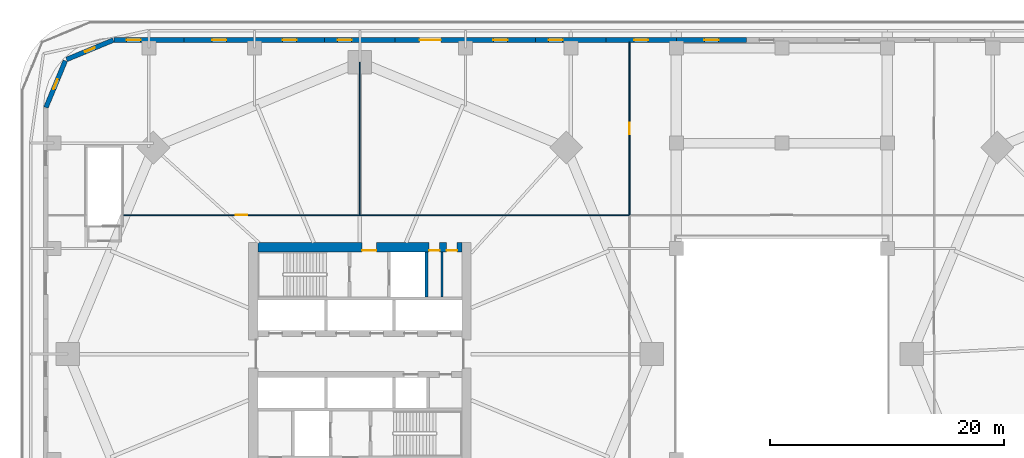
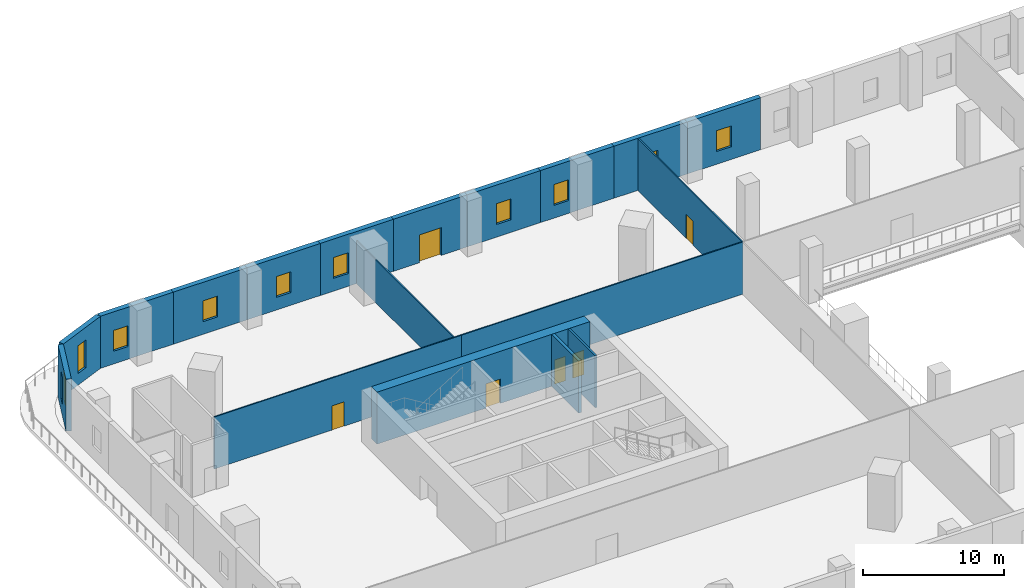
# One storey, part 6 of 16: 18 walls, 10 windows, 6 doors, 16 openings.
"""IFC4 building model written with IfcOpenShell, lengths in metres."""

from ifc_helpers import new_model, si_unit, direction, frame, frame_2d, origin, place, context, subcontext, project, spatial, rectangle, extrude, material, layer, layer_set, type_object, element, fill, save


model = new_model("IFC4")

# Units and contexts
model_context = context("Model", 3, precision=1e-05, world=origin(), true_north=direction((0.0, 1.0)))
body_context = subcontext(model_context, "Body", "Model", "MODEL_VIEW")
ifc_project = project(units=[si_unit("LENGTHUNIT", "METRE"), si_unit("AREAUNIT", "SQUARE_METRE"), si_unit("VOLUMEUNIT", "CUBIC_METRE"), si_unit("PLANEANGLEUNIT", "RADIAN"), si_unit("MASSUNIT", "GRAM", prefix="KILO")], contexts=[model_context])

# Site, building, storey
site_placement = place(None, origin())
site = spatial("IfcSite", under=ifc_project, at=site_placement, CompositionType="ELEMENT")
building_placement = place(site_placement, origin())
building = spatial("IfcBuilding", under=site, at=building_placement, Name="Ogive Gate Towers", CompositionType="ELEMENT")
storey_placement = place(building_placement, frame((0.0, 0.0, 22.800048828125)))
storey = spatial("IfcBuildingStorey", under=building, at=storey_placement, Name="L04", CompositionType="ELEMENT", Elevation=22.800048828125)

# Wall, openings, doors
ifc_material_1 = material(Name="Concrete C60/75", Category="concrete")
ifc_layer_1 = layer(ifc_material_1, 0.800048828125)
ifc_layer_set_1 = layer_set([ifc_layer_1], Name="Core wall 800 mm")
wall_type_1 = type_object("IfcWallType", Name="Core wall 800 mm", PredefinedType="SHEAR", material=ifc_layer_set_1)
wall_1_placement = place(storey_placement, frame((-44.699951171875, 9.10009765625, 0.0), z_axis=(0.0, 0.0, 1.0), x_axis=(1.0, 0.0, 0.0)))
wall_1 = element("IfcWall", 1, at=wall_1_placement, inside=storey, type_object=wall_type_1, Name="T1 L04 Core wall 800 mm", PredefinedType="SHEAR", context=body_context, shape_type="SweptSolid", body=[
    extrude(rectangle(XDim=17.39990234375, YDim=0.800048828125, at=frame_2d((8.699951171875, 0.0))), origin(), (0.0, 0.0, 1.0), 4.5),
])
opening_1_placement = place(wall_1_placement, frame((8.89990234375, 0.0, 0.0)))
opening_1 = element("IfcOpeningElement", 2, at=opening_1_placement, cuts=wall_1, Name="Opening KD-T1-L04-15", PredefinedType="OPENING", context=body_context, shape_type="SweptSolid", body=[
    extrude(rectangle(XDim=1.199951171875, YDim=2.10009765625, at=frame_2d((0.60009765625, 1.050048828125))), frame((0.0, 0.41015625, 0.0), z_axis=(0.0, -1.0, 0.0), x_axis=(1.0, 0.0, 0.0)), (0.0, 0.0, 1.0), 0.820068359375),
])
opening_2_placement = place(wall_1_placement, frame((14.60009765625, 0.0, 0.0)))
opening_2 = element("IfcOpeningElement", 3, at=opening_2_placement, cuts=wall_1, Name="Opening KD-T1-L04-17", PredefinedType="OPENING", context=body_context, shape_type="SweptSolid", body=[
    extrude(rectangle(XDim=0.89990234375, YDim=2.10009765625, at=frame_2d((0.449951171875, 1.050048828125))), frame((0.0, 0.41015625, 0.0), z_axis=(0.0, -1.0, 0.0), x_axis=(1.0, 0.0, 0.0)), (0.0, 0.0, 1.0), 0.820068359375),
])
opening_3_placement = place(wall_1_placement, frame((16.10009765625, 0.0, 0.0)))
opening_3 = element("IfcOpeningElement", 4, at=opening_3_placement, cuts=wall_1, Name="Opening KD-T1-L04-18", PredefinedType="OPENING", context=body_context, shape_type="SweptSolid", body=[
    extrude(rectangle(XDim=0.89990234375, YDim=2.10009765625, at=frame_2d((0.449951171875, 1.050048828125))), frame((0.0, 0.41015625, 0.0), z_axis=(0.0, -1.0, 0.0), x_axis=(1.0, 0.0, 0.0)), (0.0, 0.0, 1.0), 0.820068359375),
])
ifc_material_2 = material(Name="Timber door", Category="wood")
door_type_1 = type_object("IfcDoorType", Name="Core WC door 900 x 2100", OperationType="NOTDEFINED", PredefinedType="DOOR", material=ifc_material_2)
door_1_placement = place(opening_2_placement, origin())
door_1 = element("IfcDoor", 5, at=door_1_placement, inside=storey, type_object=door_type_1, Name="T1 L04 Core door", OperationType="SINGLE_SWING_RIGHT", OverallHeight=2.10009765625, OverallWidth=0.89990234375, PredefinedType="DOOR", context=body_context, shape_type="SweptSolid", body=[
    extrude(rectangle(XDim=0.89990234375, YDim=2.10009765625, at=frame_2d((0.449951171875, 1.050048828125))), frame((0.0, -0.22509765625, 0.0), z_axis=(0.0, -1.0, 0.0), x_axis=(1.0, 0.0, 0.0)), (0.0, 0.0, 1.0), 0.050048828125),
])
fill(opening_2, door_1)
door_2_placement = place(opening_3_placement, origin())
door_2 = element("IfcDoor", 6, at=door_2_placement, inside=storey, type_object=door_type_1, Name="T1 L04 Core door", OperationType="SINGLE_SWING_LEFT", OverallHeight=2.10009765625, OverallWidth=0.89990234375, PredefinedType="DOOR", context=body_context, shape_type="SweptSolid", body=[
    extrude(rectangle(XDim=0.89990234375, YDim=2.10009765625, at=frame_2d((0.449951171875, 1.050048828125))), frame((0.0, -0.22509765625, 0.0), z_axis=(0.0, -1.0, 0.0), x_axis=(1.0, 0.0, 0.0)), (0.0, 0.0, 1.0), 0.050048828125),
])
fill(opening_3, door_2)
ifc_material_3 = material(Name="Steel fire door", Category="steel")
door_type_2 = type_object("IfcDoorType", Name="Core door FD60S 1200 x 2100", OperationType="NOTDEFINED", PredefinedType="DOOR", material=ifc_material_3)
door_3_placement = place(opening_1_placement, origin())
door_3 = element("IfcDoor", 7, at=door_3_placement, inside=storey, type_object=door_type_2, Name="T1 L04 Fire-fighting lobby door", OperationType="SINGLE_SWING_RIGHT", OverallHeight=2.10009765625, OverallWidth=1.199951171875, PredefinedType="DOOR", context=body_context, shape_type="SweptSolid", body=[
    extrude(rectangle(XDim=1.199951171875, YDim=2.10009765625, at=frame_2d((0.60009765625, 1.050048828125))), frame((0.0, -0.22509765625, 0.0), z_axis=(0.0, -1.0, 0.0), x_axis=(1.0, 0.0, 0.0)), (0.0, 0.0, 1.0), 0.050048828125),
])
fill(opening_1, door_3)

# Wall, opening, door
ifc_material_4 = material(Name="Gypsum board partition")
ifc_layer_2 = layer(ifc_material_4, 0.10009765625)
ifc_layer_set_2 = layer_set([ifc_layer_2], Name="Partition wall 100")
wall_type_2 = type_object("IfcWallType", Name="Partition wall 100", PredefinedType="PARTITIONING", material=ifc_layer_set_2)
wall_2_placement = place(storey_placement, frame((-13.0, 11.89990234375, 0.0), z_axis=(0.0, 0.0, 1.0), x_axis=(0.0, 1.0, 0.0)))
wall_2 = element("IfcWall", 8, at=wall_2_placement, inside=storey, type_object=wall_type_2, Name="L04 partition 022", PredefinedType="PARTITIONING", context=body_context, shape_type="SweptSolid", body=[
    extrude(rectangle(XDim=14.7001953125, YDim=0.10009765625, at=frame_2d((7.35009765625, 0.0))), origin(), (0.0, 0.0, 1.0), 4.5),
])
opening_4_placement = place(wall_2_placement, frame((6.85009765625, 0.0, 0.0)))
opening_4 = element("IfcOpeningElement", 9, at=opening_4_placement, cuts=wall_2, Name="Opening PO201", PredefinedType="OPENING", context=body_context, shape_type="SweptSolid", body=[
    extrude(rectangle(XDim=1.0, YDim=2.10009765625, at=frame_2d((0.5, 1.050048828125))), frame((0.0, 0.06005859375, 0.0), z_axis=(0.0, -1.0, 0.0), x_axis=(1.0, 0.0, 0.0)), (0.0, 0.0, 1.0), 0.1201171875),
])
door_type_3 = type_object("IfcDoorType", Name="Door 1000 x 2100", OperationType="NOTDEFINED", PredefinedType="DOOR", material=ifc_material_2)
door_4_placement = place(opening_4_placement, origin())
door_4 = element("IfcDoor", 10, at=door_4_placement, inside=storey, type_object=door_type_3, Name="Door PO201", OperationType="SINGLE_SWING_LEFT", OverallHeight=2.10009765625, OverallWidth=1.0, PredefinedType="DOOR", context=body_context, shape_type="SweptSolid", body=[
    extrude(rectangle(XDim=1.0, YDim=2.10009765625, at=frame_2d((0.5, 1.050048828125))), frame((0.0, 0.02490234375, 0.0), z_axis=(0.0, -1.0, 0.0), x_axis=(1.0, 0.0, 0.0)), (0.0, 0.0, 1.0), 0.050048828125),
])
fill(opening_4, door_4)

# Wall
wall_3_placement = place(storey_placement, frame((-36.0, 11.89990234375, 0.0), z_axis=(0.0, 0.0, 1.0), x_axis=(0.0, 1.0, 0.0)))
element("IfcWall", 11, at=wall_3_placement, inside=storey, type_object=wall_type_2, Name="L04 partition 025", PredefinedType="PARTITIONING", context=body_context, shape_type="SweptSolid", body=[
    extrude(rectangle(XDim=14.7001953125, YDim=0.10009765625, at=frame_2d((7.35009765625, 0.0))), origin(), (0.0, 0.0, 1.0), 3.7099609375),
])

# Wall, opening, door
wall_4_placement = place(storey_placement, frame((-56.199951171875, 11.85009765625, 0.0), z_axis=(0.0, 0.0, 1.0), x_axis=(1.0, 0.0, 0.0)))
wall_4 = element("IfcWall", 12, at=wall_4_placement, inside=storey, type_object=wall_type_2, Name="L04 partition 027", PredefinedType="PARTITIONING", context=body_context, shape_type="SweptSolid", body=[
    extrude(rectangle(XDim=20.199951171875, YDim=0.10009765625, at=frame_2d((10.10009765625, 0.0))), origin(), (0.0, 0.0, 1.0), 4.5),
])
opening_5_placement = place(wall_4_placement, frame((9.60009765625, 0.0, 0.0)))
opening_5 = element("IfcOpeningElement", 13, at=opening_5_placement, cuts=wall_4, Name="Opening PO200", PredefinedType="OPENING", context=body_context, shape_type="SweptSolid", body=[
    extrude(rectangle(XDim=1.0, YDim=2.10009765625, at=frame_2d((0.5, 1.050048828125))), frame((0.0, 0.06005859375, 0.0), z_axis=(0.0, -1.0, 0.0), x_axis=(1.0, 0.0, 0.0)), (0.0, 0.0, 1.0), 0.1201171875),
])
door_5_placement = place(opening_5_placement, origin())
door_5 = element("IfcDoor", 14, at=door_5_placement, inside=storey, type_object=door_type_3, Name="Door PO200", OperationType="SINGLE_SWING_RIGHT", OverallHeight=2.10009765625, OverallWidth=1.0, PredefinedType="DOOR", context=body_context, shape_type="SweptSolid", body=[
    extrude(rectangle(XDim=1.0, YDim=2.10009765625, at=frame_2d((0.5, 1.050048828125))), frame((0.0, 0.02490234375, 0.0), z_axis=(0.0, -1.0, 0.0), x_axis=(1.0, 0.0, 0.0)), (0.0, 0.0, 1.0), 0.050048828125),
])
fill(opening_5, door_5)

# Wall
wall_5_placement = place(storey_placement, frame((-36.0, 11.85009765625, 0.0), z_axis=(0.0, 0.0, 1.0), x_axis=(1.0, 0.0, 0.0)))
element("IfcWall", 15, at=wall_5_placement, inside=storey, type_object=wall_type_2, Name="L04 partition 028", PredefinedType="PARTITIONING", context=body_context, shape_type="SweptSolid", body=[
    extrude(rectangle(XDim=23.0, YDim=0.10009765625, at=frame_2d((11.5, 0.0))), origin(), (0.0, 0.0, 1.0), 4.5),
])

# Wall, opening, window
ifc_material_5 = material(Name="Precast concrete C40/50", Category="concrete")
ifc_layer_3 = layer(ifc_material_5, 0.39990234375)
ifc_layer_set_3 = layer_set([ifc_layer_3], Name="Podium wall 400")
wall_type_3 = type_object("IfcWallType", Name="Podium wall 400", PredefinedType="SOLIDWALL", material=ifc_layer_set_3)
wall_6_placement = place(storey_placement, frame((-3.0, 26.800048828125, 0.0), z_axis=(0.0, 0.0, 1.0), x_axis=(-1.0, 0.0, 0.0)))
wall_6 = element("IfcWall", 16, at=wall_6_placement, inside=storey, type_object=wall_type_3, Name="Podium wall", PredefinedType="SOLIDWALL", context=body_context, shape_type="SweptSolid", body=[
    extrude(rectangle(XDim=6.0, YDim=0.39990234375, at=frame_2d((3.0, 0.0))), origin(), (0.0, 0.0, 1.0), 4.5),
])
opening_6_placement = place(wall_6_placement, frame((2.39990234375, 0.0, 1.10009765625)))
opening_6 = element("IfcOpeningElement", 17, at=opening_6_placement, cuts=wall_6, Name="Opening WN3", PredefinedType="OPENING", context=body_context, shape_type="SweptSolid", body=[
    extrude(rectangle(XDim=1.199951171875, YDim=1.800048828125, at=frame_2d((0.60009765625, 0.89990234375))), frame((0.0, 0.2099609375, 0.0), z_axis=(0.0, -1.0, 0.0), x_axis=(1.0, 0.0, 0.0)), (0.0, 0.0, 1.0), 0.419921875),
])
ifc_material_6 = material(Name="Clear glass", Category="glass")
window_type_1 = type_object("IfcWindowType", Name="Podium window 1200 x 1800", PartitioningType="SINGLE_PANEL", PredefinedType="WINDOW", material=ifc_material_6)
window_1_placement = place(opening_6_placement, origin())
window_1 = element("IfcWindow", 18, at=window_1_placement, inside=storey, type_object=window_type_1, Name="Podium window", OverallHeight=1.800048828125, OverallWidth=1.199951171875, PartitioningType="SINGLE_PANEL", PredefinedType="WINDOW", context=body_context, shape_type="SweptSolid", body=[
    extrude(rectangle(XDim=1.199951171875, YDim=1.800048828125, at=frame_2d((0.60009765625, 0.89990234375))), frame((0.0, 0.030029296875, 0.0), z_axis=(0.0, -1.0, 0.0), x_axis=(1.0, 0.0, 0.0)), (0.0, 0.0, 1.0), 0.06005859375),
])
fill(opening_6, window_1)

wall_7_placement = place(storey_placement, frame((-9.0, 26.800048828125, 0.0), z_axis=(0.0, 0.0, 1.0), x_axis=(-1.0, 0.0, 0.0)))
wall_7 = element("IfcWall", 19, at=wall_7_placement, inside=storey, type_object=wall_type_3, Name="Podium wall", PredefinedType="SOLIDWALL", context=body_context, shape_type="SweptSolid", body=[
    extrude(rectangle(XDim=6.0, YDim=0.39990234375, at=frame_2d((3.0, 0.0))), origin(), (0.0, 0.0, 1.0), 4.5),
])
opening_7_placement = place(wall_7_placement, frame((2.39990234375, 0.0, 1.10009765625)))
opening_7 = element("IfcOpeningElement", 20, at=opening_7_placement, cuts=wall_7, Name="Opening WN3", PredefinedType="OPENING", context=body_context, shape_type="SweptSolid", body=[
    extrude(rectangle(XDim=1.199951171875, YDim=1.800048828125, at=frame_2d((0.60009765625, 0.89990234375))), frame((0.0, 0.2099609375, 0.0), z_axis=(0.0, -1.0, 0.0), x_axis=(1.0, 0.0, 0.0)), (0.0, 0.0, 1.0), 0.419921875),
])
window_2_placement = place(opening_7_placement, origin())
window_2 = element("IfcWindow", 21, at=window_2_placement, inside=storey, type_object=window_type_1, Name="Podium window", OverallHeight=1.800048828125, OverallWidth=1.199951171875, PartitioningType="SINGLE_PANEL", PredefinedType="WINDOW", context=body_context, shape_type="SweptSolid", body=[
    extrude(rectangle(XDim=1.199951171875, YDim=1.800048828125, at=frame_2d((0.60009765625, 0.89990234375))), frame((0.0, 0.030029296875, 0.0), z_axis=(0.0, -1.0, 0.0), x_axis=(1.0, 0.0, 0.0)), (0.0, 0.0, 1.0), 0.06005859375),
])
fill(opening_7, window_2)

wall_8_placement = place(storey_placement, frame((-15.0, 26.800048828125, 0.0), z_axis=(0.0, 0.0, 1.0), x_axis=(-1.0, 0.0, 0.0)))
wall_8 = element("IfcWall", 22, at=wall_8_placement, inside=storey, type_object=wall_type_3, Name="Podium wall", PredefinedType="SOLIDWALL", context=body_context, shape_type="SweptSolid", body=[
    extrude(rectangle(XDim=6.0, YDim=0.39990234375, at=frame_2d((3.0, 0.0))), origin(), (0.0, 0.0, 1.0), 4.5),
])
opening_8_placement = place(wall_8_placement, frame((3.699951171875, 0.0, 1.10009765625)))
opening_8 = element("IfcOpeningElement", 23, at=opening_8_placement, cuts=wall_8, Name="Opening WN3", PredefinedType="OPENING", context=body_context, shape_type="SweptSolid", body=[
    extrude(rectangle(XDim=1.199951171875, YDim=1.800048828125, at=frame_2d((0.60009765625, 0.89990234375))), frame((0.0, 0.2099609375, 0.0), z_axis=(0.0, -1.0, 0.0), x_axis=(1.0, 0.0, 0.0)), (0.0, 0.0, 1.0), 0.419921875),
])
window_3_placement = place(opening_8_placement, origin())
window_3 = element("IfcWindow", 24, at=window_3_placement, inside=storey, type_object=window_type_1, Name="Podium window", OverallHeight=1.800048828125, OverallWidth=1.199951171875, PartitioningType="SINGLE_PANEL", PredefinedType="WINDOW", context=body_context, shape_type="SweptSolid", body=[
    extrude(rectangle(XDim=1.199951171875, YDim=1.800048828125, at=frame_2d((0.60009765625, 0.89990234375))), frame((0.0, 0.030029296875, 0.0), z_axis=(0.0, -1.0, 0.0), x_axis=(1.0, 0.0, 0.0)), (0.0, 0.0, 1.0), 0.06005859375),
])
fill(opening_8, window_3)

wall_9_placement = place(storey_placement, frame((-21.0, 26.800048828125, 0.0), z_axis=(0.0, 0.0, 1.0), x_axis=(-1.0, 0.0, 0.0)))
wall_9 = element("IfcWall", 25, at=wall_9_placement, inside=storey, type_object=wall_type_3, Name="Podium wall", PredefinedType="SOLIDWALL", context=body_context, shape_type="SweptSolid", body=[
    extrude(rectangle(XDim=6.0, YDim=0.39990234375, at=frame_2d((3.0, 0.0))), origin(), (0.0, 0.0, 1.0), 4.5),
])
opening_9_placement = place(wall_9_placement, frame((2.39990234375, 0.0, 1.10009765625)))
opening_9 = element("IfcOpeningElement", 26, at=opening_9_placement, cuts=wall_9, Name="Opening WN3", PredefinedType="OPENING", context=body_context, shape_type="SweptSolid", body=[
    extrude(rectangle(XDim=1.199951171875, YDim=1.800048828125, at=frame_2d((0.60009765625, 0.89990234375))), frame((0.0, 0.2099609375, 0.0), z_axis=(0.0, -1.0, 0.0), x_axis=(1.0, 0.0, 0.0)), (0.0, 0.0, 1.0), 0.419921875),
])
window_4_placement = place(opening_9_placement, origin())
window_4 = element("IfcWindow", 27, at=window_4_placement, inside=storey, type_object=window_type_1, Name="Podium window", OverallHeight=1.800048828125, OverallWidth=1.199951171875, PartitioningType="SINGLE_PANEL", PredefinedType="WINDOW", context=body_context, shape_type="SweptSolid", body=[
    extrude(rectangle(XDim=1.199951171875, YDim=1.800048828125, at=frame_2d((0.60009765625, 0.89990234375))), frame((0.0, 0.030029296875, 0.0), z_axis=(0.0, -1.0, 0.0), x_axis=(1.0, 0.0, 0.0)), (0.0, 0.0, 1.0), 0.06005859375),
])
fill(opening_9, window_4)

# Wall, opening, door
wall_10_placement = place(storey_placement, frame((-27.0, 26.800048828125, 0.0), z_axis=(0.0, 0.0, 1.0), x_axis=(-1.0, 0.0, 0.0)))
wall_10 = element("IfcWall", 28, at=wall_10_placement, inside=storey, type_object=wall_type_3, Name="Podium wall", PredefinedType="SOLIDWALL", context=body_context, shape_type="SweptSolid", body=[
    extrude(rectangle(XDim=6.0, YDim=0.39990234375, at=frame_2d((3.0, 0.0))), origin(), (0.0, 0.0, 1.0), 4.5),
])
opening_10_placement = place(wall_10_placement, frame((2.10009765625, 0.0, 0.0)))
opening_10 = element("IfcOpeningElement", 29, at=opening_10_placement, cuts=wall_10, Name="Opening ED3-L04-03", PredefinedType="OPENING", context=body_context, shape_type="SweptSolid", body=[
    extrude(rectangle(XDim=1.800048828125, YDim=2.39990234375, at=frame_2d((0.89990234375, 1.199951171875))), frame((0.0, 0.2099609375, 0.0), z_axis=(0.0, -1.0, 0.0), x_axis=(1.0, 0.0, 0.0)), (0.0, 0.0, 1.0), 0.419921875),
])
ifc_material_7 = material(Name="Pale metal aluminium", Category="aluminium")
door_type_4 = type_object("IfcDoorType", Name="Terrace door 1800 x 2400", OperationType="DOUBLE_DOOR_SINGLE_SWING", PredefinedType="DOOR", material=ifc_material_7)
door_6_placement = place(opening_10_placement, origin())
door_6 = element("IfcDoor", 30, at=door_6_placement, inside=storey, type_object=door_type_4, Name="Exterior door", OperationType="SINGLE_SWING_LEFT", OverallHeight=2.39990234375, OverallWidth=1.800048828125, PredefinedType="DOOR", context=body_context, shape_type="SweptSolid", body=[
    extrude(rectangle(XDim=1.800048828125, YDim=2.39990234375, at=frame_2d((0.89990234375, 1.199951171875))), frame((0.0, 0.02490234375, 0.0), z_axis=(0.0, -1.0, 0.0), x_axis=(1.0, 0.0, 0.0)), (0.0, 0.0, 1.0), 0.050048828125),
])
fill(opening_10, door_6)

# Wall, opening, window
wall_11_placement = place(storey_placement, frame((-33.0, 26.800048828125, 0.0), z_axis=(0.0, 0.0, 1.0), x_axis=(-1.0, 0.0, 0.0)))
wall_11 = element("IfcWall", 31, at=wall_11_placement, inside=storey, type_object=wall_type_3, Name="Podium wall", PredefinedType="SOLIDWALL", context=body_context, shape_type="SweptSolid", body=[
    extrude(rectangle(XDim=6.0, YDim=0.39990234375, at=frame_2d((3.0, 0.0))), origin(), (0.0, 0.0, 1.0), 4.5),
])
opening_11_placement = place(wall_11_placement, frame((3.699951171875, 0.0, 1.10009765625)))
opening_11 = element("IfcOpeningElement", 32, at=opening_11_placement, cuts=wall_11, Name="Opening WN3", PredefinedType="OPENING", context=body_context, shape_type="SweptSolid", body=[
    extrude(rectangle(XDim=1.199951171875, YDim=1.800048828125, at=frame_2d((0.60009765625, 0.89990234375))), frame((0.0, 0.2099609375, 0.0), z_axis=(0.0, -1.0, 0.0), x_axis=(1.0, 0.0, 0.0)), (0.0, 0.0, 1.0), 0.419921875),
])
window_5_placement = place(opening_11_placement, origin())
window_5 = element("IfcWindow", 33, at=window_5_placement, inside=storey, type_object=window_type_1, Name="Podium window", OverallHeight=1.800048828125, OverallWidth=1.199951171875, PartitioningType="SINGLE_PANEL", PredefinedType="WINDOW", context=body_context, shape_type="SweptSolid", body=[
    extrude(rectangle(XDim=1.199951171875, YDim=1.800048828125, at=frame_2d((0.60009765625, 0.89990234375))), frame((0.0, 0.030029296875, 0.0), z_axis=(0.0, -1.0, 0.0), x_axis=(1.0, 0.0, 0.0)), (0.0, 0.0, 1.0), 0.06005859375),
])
fill(opening_11, window_5)

wall_12_placement = place(storey_placement, frame((-39.0, 26.800048828125, 0.0), z_axis=(0.0, 0.0, 1.0), x_axis=(-1.0, 0.0, 0.0)))
wall_12 = element("IfcWall", 34, at=wall_12_placement, inside=storey, type_object=wall_type_3, Name="Podium wall", PredefinedType="SOLIDWALL", context=body_context, shape_type="SweptSolid", body=[
    extrude(rectangle(XDim=6.0, YDim=0.39990234375, at=frame_2d((3.0, 0.0))), origin(), (0.0, 0.0, 1.0), 4.5),
])
opening_12_placement = place(wall_12_placement, frame((2.39990234375, 0.0, 1.10009765625)))
opening_12 = element("IfcOpeningElement", 35, at=opening_12_placement, cuts=wall_12, Name="Opening WN3", PredefinedType="OPENING", context=body_context, shape_type="SweptSolid", body=[
    extrude(rectangle(XDim=1.199951171875, YDim=1.800048828125, at=frame_2d((0.60009765625, 0.89990234375))), frame((0.0, 0.2099609375, 0.0), z_axis=(0.0, -1.0, 0.0), x_axis=(1.0, 0.0, 0.0)), (0.0, 0.0, 1.0), 0.419921875),
])
window_6_placement = place(opening_12_placement, origin())
window_6 = element("IfcWindow", 36, at=window_6_placement, inside=storey, type_object=window_type_1, Name="Podium window", OverallHeight=1.800048828125, OverallWidth=1.199951171875, PartitioningType="SINGLE_PANEL", PredefinedType="WINDOW", context=body_context, shape_type="SweptSolid", body=[
    extrude(rectangle(XDim=1.199951171875, YDim=1.800048828125, at=frame_2d((0.60009765625, 0.89990234375))), frame((0.0, 0.030029296875, 0.0), z_axis=(0.0, -1.0, 0.0), x_axis=(1.0, 0.0, 0.0)), (0.0, 0.0, 1.0), 0.06005859375),
])
fill(opening_12, window_6)

wall_13_placement = place(storey_placement, frame((-45.0, 26.800048828125, 0.0), z_axis=(0.0, 0.0, 1.0), x_axis=(-1.0, 0.0, 0.0)))
wall_13 = element("IfcWall", 37, at=wall_13_placement, inside=storey, type_object=wall_type_3, Name="Podium wall", PredefinedType="SOLIDWALL", context=body_context, shape_type="SweptSolid", body=[
    extrude(rectangle(XDim=6.0, YDim=0.39990234375, at=frame_2d((3.0, 0.0))), origin(), (0.0, 0.0, 1.0), 4.5),
])
opening_13_placement = place(wall_13_placement, frame((2.39990234375, 0.0, 1.10009765625)))
opening_13 = element("IfcOpeningElement", 38, at=opening_13_placement, cuts=wall_13, Name="Opening WN3", PredefinedType="OPENING", context=body_context, shape_type="SweptSolid", body=[
    extrude(rectangle(XDim=1.199951171875, YDim=1.800048828125, at=frame_2d((0.60009765625, 0.89990234375))), frame((0.0, 0.2099609375, 0.0), z_axis=(0.0, -1.0, 0.0), x_axis=(1.0, 0.0, 0.0)), (0.0, 0.0, 1.0), 0.419921875),
])
window_7_placement = place(opening_13_placement, origin())
window_7 = element("IfcWindow", 39, at=window_7_placement, inside=storey, type_object=window_type_1, Name="Podium window", OverallHeight=1.800048828125, OverallWidth=1.199951171875, PartitioningType="SINGLE_PANEL", PredefinedType="WINDOW", context=body_context, shape_type="SweptSolid", body=[
    extrude(rectangle(XDim=1.199951171875, YDim=1.800048828125, at=frame_2d((0.60009765625, 0.89990234375))), frame((0.0, 0.030029296875, 0.0), z_axis=(0.0, -1.0, 0.0), x_axis=(1.0, 0.0, 0.0)), (0.0, 0.0, 1.0), 0.06005859375),
])
fill(opening_13, window_7)

wall_14_placement = place(storey_placement, frame((-51.0, 26.800048828125, 0.0), z_axis=(0.0, 0.0, 1.0), x_axis=(-1.0, 0.0, 0.0)))
wall_14 = element("IfcWall", 40, at=wall_14_placement, inside=storey, type_object=wall_type_3, Name="Podium wall", PredefinedType="SOLIDWALL", context=body_context, shape_type="SweptSolid", body=[
    extrude(rectangle(XDim=6.0, YDim=0.39990234375, at=frame_2d((3.0, 0.0))), origin(), (0.0, 0.0, 1.0), 4.5),
])
opening_14_placement = place(wall_14_placement, frame((3.699951171875, 0.0, 1.10009765625)))
opening_14 = element("IfcOpeningElement", 41, at=opening_14_placement, cuts=wall_14, Name="Opening WN3", PredefinedType="OPENING", context=body_context, shape_type="SweptSolid", body=[
    extrude(rectangle(XDim=1.199951171875, YDim=1.800048828125, at=frame_2d((0.60009765625, 0.89990234375))), frame((0.0, 0.2099609375, 0.0), z_axis=(0.0, -1.0, 0.0), x_axis=(1.0, 0.0, 0.0)), (0.0, 0.0, 1.0), 0.419921875),
])
window_8_placement = place(opening_14_placement, origin())
window_8 = element("IfcWindow", 42, at=window_8_placement, inside=storey, type_object=window_type_1, Name="Podium window", OverallHeight=1.800048828125, OverallWidth=1.199951171875, PartitioningType="SINGLE_PANEL", PredefinedType="WINDOW", context=body_context, shape_type="SweptSolid", body=[
    extrude(rectangle(XDim=1.199951171875, YDim=1.800048828125, at=frame_2d((0.60009765625, 0.89990234375))), frame((0.0, 0.030029296875, 0.0), z_axis=(0.0, -1.0, 0.0), x_axis=(1.0, 0.0, 0.0)), (0.0, 0.0, 1.0), 0.06005859375),
])
fill(opening_14, window_8)

wall_15_placement = place(storey_placement, frame((-57.036865234375, 26.784912109375, 0.0), z_axis=(0.0, 0.0, 1.0), x_axis=(-0.923854820772, -0.382743086333, 0.0)))
wall_15 = element("IfcWall", 43, at=wall_15_placement, inside=storey, type_object=wall_type_3, Name="Podium wall", PredefinedType="SOLIDWALL", context=body_context, shape_type="SweptSolid", body=[
    extrude(rectangle(XDim=4.31640625, YDim=0.39990234375, at=frame_2d((2.158203125, 0.0))), origin(), (0.0, 0.0, 1.0), 4.5),
])
opening_15_placement = place(wall_15_placement, frame((1.708251953125, 0.0, 1.0)))
opening_15 = element("IfcOpeningElement", 44, at=opening_15_placement, cuts=wall_15, Name="Opening WN5", PredefinedType="OPENING", context=body_context, shape_type="SweptSolid", body=[
    extrude(rectangle(XDim=0.89990234375, YDim=2.39990234375, at=frame_2d((0.449951171875, 1.199951171875))), frame((0.0, 0.2099609375, 0.0), z_axis=(0.0, -1.0, 0.0), x_axis=(1.0, 0.0, 0.0)), (0.0, 0.0, 1.0), 0.419921875),
])
window_type_2 = type_object("IfcWindowType", Name="Narrow window 900 x 2400", PartitioningType="SINGLE_PANEL", PredefinedType="WINDOW", material=ifc_material_6)
window_9_placement = place(opening_15_placement, origin())
window_9 = element("IfcWindow", 45, at=window_9_placement, inside=storey, type_object=window_type_2, Name="Podium window", OverallHeight=2.39990234375, OverallWidth=0.89990234375, PartitioningType="SINGLE_PANEL", PredefinedType="WINDOW", context=body_context, shape_type="SweptSolid", body=[
    extrude(rectangle(XDim=0.89990234375, YDim=2.39990234375, at=frame_2d((0.449951171875, 1.199951171875))), frame((0.0, 0.030029296875, 0.0), z_axis=(0.0, -1.0, 0.0), x_axis=(1.0, 0.0, 0.0)), (0.0, 0.0, 1.0), 0.06005859375),
])
fill(opening_15, window_9)

wall_16_placement = place(storey_placement, frame((-61.1328125, 25.024658203125, 0.0), z_axis=(0.0, 0.0, 1.0), x_axis=(-0.382743086333, -0.923854820772, 0.0)))
wall_16 = element("IfcWall", 46, at=wall_16_placement, inside=storey, type_object=wall_type_3, Name="Podium wall", PredefinedType="SOLIDWALL", context=body_context, shape_type="SweptSolid", body=[
    extrude(rectangle(XDim=4.31640625, YDim=0.39990234375, at=frame_2d((2.158203125, 0.0))), origin(), (0.0, 0.0, 1.0), 4.5),
])
opening_16_placement = place(wall_16_placement, frame((1.708251953125, 0.0, 1.0)))
opening_16 = element("IfcOpeningElement", 47, at=opening_16_placement, cuts=wall_16, Name="Opening WN5", PredefinedType="OPENING", context=body_context, shape_type="SweptSolid", body=[
    extrude(rectangle(XDim=0.89990234375, YDim=2.39990234375, at=frame_2d((0.449951171875, 1.199951171875))), frame((0.0, 0.2099609375, 0.0), z_axis=(0.0, -1.0, 0.0), x_axis=(1.0, 0.0, 0.0)), (0.0, 0.0, 1.0), 0.419921875),
])
window_10_placement = place(opening_16_placement, origin())
window_10 = element("IfcWindow", 48, at=window_10_placement, inside=storey, type_object=window_type_2, Name="Podium window", OverallHeight=2.39990234375, OverallWidth=0.89990234375, PartitioningType="SINGLE_PANEL", PredefinedType="WINDOW", context=body_context, shape_type="SweptSolid", body=[
    extrude(rectangle(XDim=0.89990234375, YDim=2.39990234375, at=frame_2d((0.449951171875, 1.199951171875))), frame((0.0, 0.030029296875, 0.0), z_axis=(0.0, -1.0, 0.0), x_axis=(1.0, 0.0, 0.0)), (0.0, 0.0, 1.0), 0.06005859375),
])
fill(opening_16, window_10)

# Walls
ifc_layer_4 = layer(ifc_material_4, 0.14990234375)
ifc_layer_set_4 = layer_set([ifc_layer_4], Name="Room partition 150 mm")
wall_type_4 = type_object("IfcWallType", Name="Room partition 150 mm", PredefinedType="PARTITIONING", material=ifc_layer_set_4)
wall_17_placement = place(storey_placement, frame((-29.0, 4.875, 0.0), z_axis=(0.0, 0.0, 1.0), x_axis=(0.0, 1.0, 0.0)))
element("IfcWall", 49, at=wall_17_placement, inside=storey, type_object=wall_type_4, Name="T1 L04 Room partition 150 mm", PredefinedType="PARTITIONING", context=body_context, shape_type="SweptSolid", body=[
    extrude(rectangle(XDim=3.824951171875, YDim=0.14990234375, at=frame_2d((1.91259765625, 0.0))), origin(), (0.0, 0.0, 1.0), 4.5),
])
ifc_layer_5 = layer(ifc_material_1, 0.25)
ifc_layer_set_5 = layer_set([ifc_layer_5], Name="Shaft wall 250 mm")
wall_type_5 = type_object("IfcWallType", Name="Shaft wall 250 mm", PredefinedType="SHEAR", material=ifc_layer_set_5)
wall_18_placement = place(storey_placement, frame((-30.300048828125, 4.875, 0.0), z_axis=(0.0, 0.0, 1.0), x_axis=(0.0, 1.0, 0.0)))
element("IfcWall", 50, at=wall_18_placement, inside=storey, type_object=wall_type_5, Name="T1 L04 Shaft wall 250 mm", PredefinedType="SHEAR", context=body_context, shape_type="SweptSolid", body=[
    extrude(rectangle(XDim=3.824951171875, YDim=0.25, at=frame_2d((1.91259765625, 0.0))), origin(), (0.0, 0.0, 1.0), 4.5),
])

save(model, "model.ifc")
